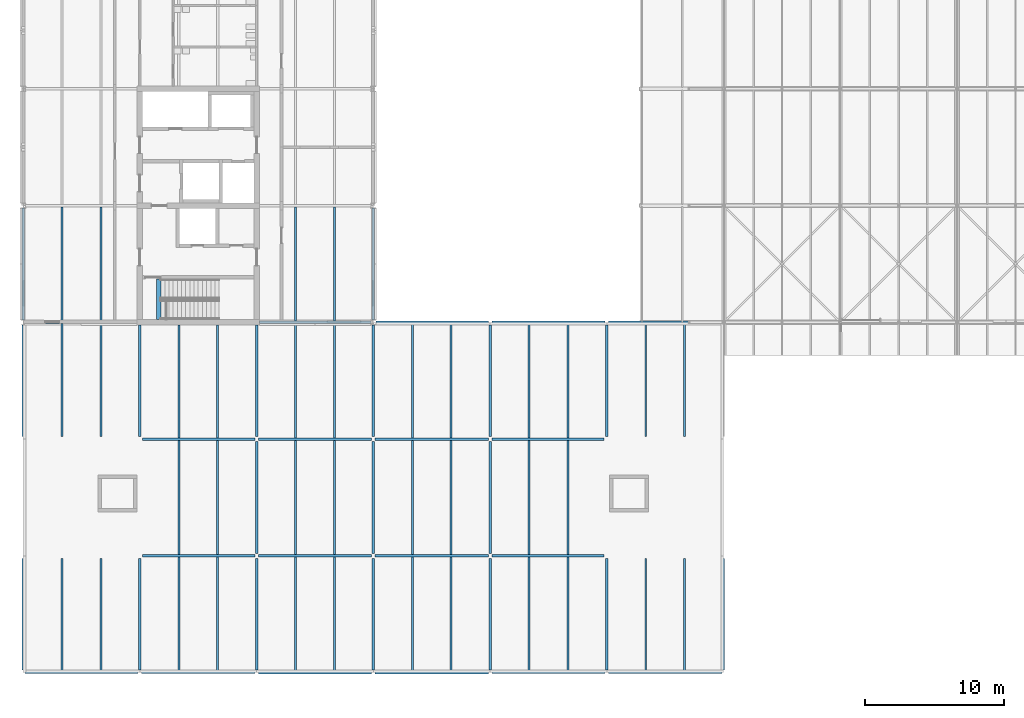
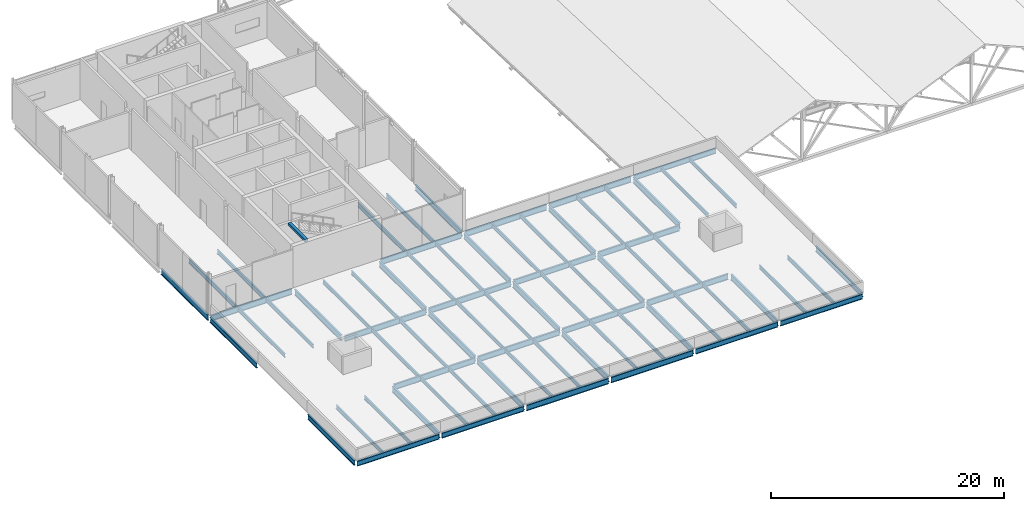
# One storey, part 8 of 76: 74 beams.
"""IFC4 building model written with IfcOpenShell, lengths in metres."""

import ifcopenshell
import ifcopenshell.guid

model = None  # the IFC model being written
_history = None  # IfcOwnerHistory: only IFC2X3 demands one
_inside = {}  # id of a spatial element -> (the spatial element, [elements in it])
_under = {}  # id of a project, library or spatial element -> (it, [spatial elements below it])
_declared = {}  # id of a project -> (the project, [libraries it declares])
_typed = {}  # id of a type object -> (the type object, [elements of that type])
_made_of = {}  # id of a material, layer set ... -> (it, [elements and type objects made of it])


def new_model(schema):
    """Start an empty IFC model of exactly this schema.

    Asked for "IFC4X3", IfcOpenShell would pick the latest addendum, in which some entities
    have other attributes; the version numbers below select the first issue.
    IFC2X3 requires an IfcOwnerHistory on every rooted entity: one is made here for all.
    """
    global model, _history
    if schema == "IFC4X3":
        model = ifcopenshell.file(schema_version=(4, 3, 0, 0))
    else:
        model = ifcopenshell.file(schema=schema)
    _inside.clear()
    _under.clear()
    _declared.clear()
    _typed.clear()
    _made_of.clear()
    _history = None
    if model.schema == "IFC2X3":
        org = make("IfcOrganization", Name="unknown")
        user = make(
            "IfcPersonAndOrganization",
            ThePerson=make("IfcPerson", FamilyName="unknown"),
            TheOrganization=org,
        )
        app = make(
            "IfcApplication",
            ApplicationDeveloper=org,
            Version="unknown",
            ApplicationFullName="unknown",
            ApplicationIdentifier="unknown",
        )
        _history = make(
            "IfcOwnerHistory",
            OwningUser=user,
            OwningApplication=app,
            ChangeAction="ADDED",
            CreationDate=0,
        )
    return model


def make(cls, **values):
    """One entity of the class cls with the attributes given. An attribute that is None is left unset."""
    return model.create_entity(
        cls, **{name: value for name, value in values.items() if value is not None}
    )


def rooted(cls, **values):
    """An entity with a GlobalId (a new one), such as an element, a storey or a relation."""
    return make(cls, GlobalId=ifcopenshell.guid.new(), OwnerHistory=_history, **values)


def si_unit(unit_type, name, prefix=None):
    """IfcSIUnit, for example si_unit("LENGTHUNIT", "METRE", prefix="MILLI")."""
    return make("IfcSIUnit", UnitType=unit_type, Prefix=prefix, Name=name)


def assignment(units):
    """IfcUnitAssignment: the units of a project."""
    return None if units is None else make("IfcUnitAssignment", Units=units)


def point(xyz):
    """IfcCartesianPoint."""
    return None if xyz is None else make("IfcCartesianPoint", Coordinates=xyz)


def direction(xyz):
    """IfcDirection."""
    return None if xyz is None else make("IfcDirection", DirectionRatios=xyz)


def frame(location, z_axis=None, x_axis=None):
    """IfcAxis2Placement3D, a coordinate frame: its origin and axes. An axis left out is left unset."""
    return make(
        "IfcAxis2Placement3D",
        Location=point(location),
        Axis=direction(z_axis),
        RefDirection=direction(x_axis),
    )


def frame_2d(location, x_axis=None):
    """IfcAxis2Placement2D, a coordinate frame in the plane: its origin and x axis."""
    return make(
        "IfcAxis2Placement2D", Location=point(location), RefDirection=direction(x_axis)
    )


def origin():
    """The frame at (0, 0, 0) with its axes left unset."""
    return frame((0.0, 0.0, 0.0))


def origin_2d():
    """The frame at (0, 0) in the plane with its x axis left unset."""
    return frame_2d((0.0, 0.0))


def place(relative_to, where):
    """IfcLocalPlacement: puts the frame where relative to a parent placement (None: the world)."""
    return make(
        "IfcLocalPlacement", PlacementRelTo=relative_to, RelativePlacement=where
    )


def context(
    kind, dimensions, precision=None, world=None, true_north=None, identifier=None
):
    """IfcGeometricRepresentationContext, for example the 3D "Model" context."""
    return make(
        "IfcGeometricRepresentationContext",
        ContextIdentifier=identifier,
        ContextType=kind,
        CoordinateSpaceDimension=dimensions,
        Precision=precision,
        WorldCoordinateSystem=world,
        TrueNorth=true_north,
    )


def subcontext(parent, identifier, kind, view, scale=None):
    """IfcGeometricRepresentationSubContext, for example "Body" below "Model"."""
    return make(
        "IfcGeometricRepresentationSubContext",
        ContextIdentifier=identifier,
        ContextType=kind,
        ParentContext=parent,
        TargetScale=scale,
        TargetView=view,
    )


def project(units=None, contexts=None):
    """IfcProject with its units and contexts."""
    return rooted(
        "IfcProject",
        Name="project",
        RepresentationContexts=contexts,
        UnitsInContext=assignment(units),
    )


def spatial(cls, under=None, at=None, **own):
    """A site, building, storey or space (cls), placed at a placement, below another one or the project."""
    s = rooted(cls, ObjectPlacement=at, **own)
    if under is not None:
        _under.setdefault(under.id(), (under, []))[1].append(s)
    return s


def profile(cls, at=None, kind="AREA", **sizes):
    """A parametric profile (cls). Its sizes go by their IFC names, for example OverallWidth=200.0."""
    return make(cls, ProfileType=kind, Position=at, **sizes)


def rectangle(**sizes):
    """IfcRectangleProfileDef."""
    return profile("IfcRectangleProfileDef", **sizes)


def i_section(**sizes):
    """IfcIShapeProfileDef."""
    return profile("IfcIShapeProfileDef", **sizes)


def extrude(swept, where, along, depth):
    """IfcExtrudedAreaSolid: the profile swept, set in the frame where, extruded along a direction by depth."""
    return make(
        "IfcExtrudedAreaSolid",
        SweptArea=swept,
        Position=where,
        ExtrudedDirection=direction(along),
        Depth=depth,
    )


def shape(context_of_items, identifier, shape_type, items):
    """IfcShapeRepresentation: the items that make up one representation, for example the "Body"."""
    return make(
        "IfcShapeRepresentation",
        ContextOfItems=context_of_items,
        RepresentationIdentifier=identifier,
        RepresentationType=shape_type,
        Items=items,
    )


def material(Name=None, Category=None):
    """IfcMaterial."""
    return make("IfcMaterial", Name=Name, Category=Category)


def material_profile(
    of_material, cross_section, Name=None, Category=None, Priority=None
):
    """IfcMaterialProfile: a cross section and its material."""
    return make(
        "IfcMaterialProfile",
        Name=Name,
        Material=of_material,
        Profile=cross_section,
        Priority=Priority,
        Category=Category,
    )


def profile_set(profiles, Name=None, composite=None):
    """IfcMaterialProfileSet."""
    return make(
        "IfcMaterialProfileSet",
        Name=Name,
        MaterialProfiles=profiles,
        CompositeProfile=composite,
    )


def made_of(thing, what):
    """Note that an element or type object is made of a material, layer set ...; save() writes the relation."""
    if what is not None:
        _made_of.setdefault(what.id(), (what, []))[1].append(thing)
    return thing


def type_object(cls, material=None, **own):
    """A type object (cls), such as IfcWallType, which elements share."""
    return made_of(rooted(cls, **own), material)


def element(
    cls,
    number,
    at=None,
    inside=None,
    cuts=None,
    type_object=None,
    material=None,
    context=None,
    identifier="Body",
    shape_type=None,
    held_by="IfcProductDefinitionShape",
    body=None,
    shapes=None,
    **own,
):
    """One element of the class cls, such as IfcWall. Its Tag is "e" and its number.

    at: its placement. inside: the storey or other place that contains it. cuts: it is an
    opening in that element (IfcRelVoidsElement). A single representation is given by context,
    identifier, shape_type and body (its items); several are given by shapes. held_by: the class
    of the entity that holds the representations. save() writes the other relations.
    """
    e = rooted(cls, Tag="e%d" % number, ObjectPlacement=at, **own)
    if body is not None:
        shapes = [shape(context, identifier, shape_type, body)]
    if shapes is not None:
        e.Representation = make(held_by, Representations=shapes)
    if inside is not None:
        _inside.setdefault(inside.id(), (inside, []))[1].append(e)
    if cuts is not None:
        rooted(
            "IfcRelVoidsElement", RelatingBuildingElement=cuts, RelatedOpeningElement=e
        )
    if type_object is not None:
        _typed.setdefault(type_object.id(), (type_object, []))[1].append(e)
    return made_of(e, material)


def aggregate(whole, parts):
    """IfcRelAggregates: a whole, such as a stair, and the parts it consists of."""
    return rooted("IfcRelAggregates", RelatingObject=whole, RelatedObjects=parts)


def save(model, path):
    """Write the relations noted so far, then the file.

    IfcRelAggregates (storeys below a building ...), IfcRelContainedInSpatialStructure (elements
    in a storey), IfcRelDefinesByType, IfcRelAssociatesMaterial and IfcRelDeclares: one each for
    every whole, place, type object, material and project.
    """
    for whole, parts in _under.values():
        aggregate(whole, parts)
    for where, things in _inside.values():
        rooted(
            "IfcRelContainedInSpatialStructure",
            RelatedElements=things,
            RelatingStructure=where,
        )
    for kind, things in _typed.values():
        rooted("IfcRelDefinesByType", RelatedObjects=things, RelatingType=kind)
    for what, things in _made_of.values():
        rooted("IfcRelAssociatesMaterial", RelatedObjects=things, RelatingMaterial=what)
    for by, libraries in _declared.values():
        rooted("IfcRelDeclares", RelatingContext=by, RelatedDefinitions=libraries)
    model.write(path)


model = new_model("IFC4")

# Units and contexts
model_context = context("Model", 3, precision=1e-05, world=origin(), true_north=direction((0.0, 1.0)))
body_context = subcontext(model_context, "Body", "Model", "MODEL_VIEW")
ifc_project = project(units=[si_unit("LENGTHUNIT", "METRE"), si_unit("AREAUNIT", "SQUARE_METRE"), si_unit("VOLUMEUNIT", "CUBIC_METRE"), si_unit("PLANEANGLEUNIT", "RADIAN"), si_unit("MASSUNIT", "GRAM", prefix="KILO")], contexts=[model_context])

# Site, building, storey
site_placement = place(None, origin())
site = spatial("IfcSite", under=ifc_project, at=site_placement, CompositionType="ELEMENT")
building_placement = place(site_placement, origin())
building = spatial("IfcBuilding", under=site, at=building_placement, Name="Hlaing Beacon Police Headquarters", CompositionType="ELEMENT")
storey_placement = place(building_placement, frame((0.0, 0.0, 18.89990234375)))
storey = spatial("IfcBuildingStorey", under=building, at=storey_placement, Name="L04", CompositionType="ELEMENT", Elevation=18.89990234375)

# Beams
ifc_material_1 = material(Name="Steel ASTM A992 Grade 50", Category="steel")
ifc_material_profile_1 = material_profile(ifc_material_1, i_section(OverallWidth=0.1650390625, OverallDepth=0.52587890625, WebThickness=0.0087890625, FlangeThickness=0.011474609375, FilletRadius=0.0126953125, at=origin_2d()), Name="W21x44")
ifc_profile_set_1 = profile_set([ifc_material_profile_1], Name="Steel ASTM A992 Grade 50")
beam_type_1 = type_object("IfcBeamType", Name="Girder W21x44", PredefinedType="BEAM", material=ifc_profile_set_1)
beam_1_placement = place(storey_placement, frame((8.527099609375, 8.39990234375, -0.392822265625), z_axis=(1.0, 0.0, 0.0), x_axis=(0.0, 1.0, 0.0)))
element("IfcBeam", 1, at=beam_1_placement, inside=storey, type_object=beam_type_1, Name="STR-BM-L04-GX-B2-C2", PredefinedType="BEAM", context=body_context, shape_type="SweptSolid", body=[
    extrude(i_section(OverallWidth=0.1650390625, OverallDepth=0.52587890625, WebThickness=0.0087890625, FlangeThickness=0.011474609375, FilletRadius=0.0126953125, at=origin_2d()), origin(), (0.0, 0.0, 1.0), 8.14599609375),
])
for number, where, z_axis, x_axis, name in (
    (2, (16.927001953125, 8.39990234375, -0.392822265625), (1.0, 0.0, 0.0), (0.0, 1.0, 0.0), "STR-BM-L04-GX-C2-D2"),
    (3, (42.1279296875, 8.39990234375, -0.392822265625), (1.0, 0.0, 0.0), (0.0, 1.0, 0.0), "STR-BM-L04-GX-F2-G2"),
):
    element("IfcBeam", number, at=place(storey_placement, frame(where, z_axis=z_axis, x_axis=x_axis)), inside=storey, type_object=beam_type_1, Name=name, PredefinedType="BEAM", context=body_context, shape_type="SweptSolid", body=[
        extrude(i_section(OverallWidth=0.1650390625, OverallDepth=0.52587890625, WebThickness=0.0087890625, FlangeThickness=0.011474609375, FilletRadius=0.0126953125, at=origin_2d()), origin(), (0.0, 0.0, 1.0), 8.14501953125),
    ])
beam_2_placement = place(storey_placement, frame((50.527099609375, 8.39990234375, -0.392822265625), z_axis=(1.0, 0.0, 0.0), x_axis=(0.0, 1.0, 0.0)))
element("IfcBeam", 4, at=beam_2_placement, inside=storey, type_object=beam_type_1, Name="STR-BM-L04-GX-G2-H2", PredefinedType="BEAM", context=body_context, shape_type="SweptSolid", body=[
    extrude(i_section(OverallWidth=0.1650390625, OverallDepth=0.52587890625, WebThickness=0.0087890625, FlangeThickness=0.011474609375, FilletRadius=0.0126953125, at=origin_2d()), origin(), (0.0, 0.0, 1.0), 8.14599609375),
])
beam_3_placement = place(storey_placement, frame((50.528076171875, 33.60009765625, -0.392822265625), z_axis=(1.0, 0.0, 0.0), x_axis=(0.0, 1.0, 0.0)))
element("IfcBeam", 5, at=beam_3_placement, inside=storey, type_object=beam_type_1, Name="STR-BM-L04-GX-G5-H5", PredefinedType="BEAM", context=body_context, shape_type="SweptSolid", body=[
    extrude(i_section(OverallWidth=0.1650390625, OverallDepth=0.52587890625, WebThickness=0.0087890625, FlangeThickness=0.011474609375, FilletRadius=0.0126953125, at=origin_2d()), origin(), (0.0, 0.0, 1.0), 8.14501953125),
])
beam_4_placement = place(storey_placement, frame((8.39990234375, 8.576904296875, -0.392822265625), z_axis=(0.0, 1.0, 0.0), x_axis=(-1.0, 0.0, 0.0)))
element("IfcBeam", 6, at=beam_4_placement, inside=storey, type_object=beam_type_1, Name="STR-BM-L04-GY-B2-B3", PredefinedType="BEAM", context=body_context, shape_type="SweptSolid", body=[
    extrude(i_section(OverallWidth=0.1650390625, OverallDepth=0.52587890625, WebThickness=0.0087890625, FlangeThickness=0.011474609375, FilletRadius=0.0126953125, at=origin_2d()), origin(), (0.0, 0.0, 1.0), 8.023193359375),
])
beam_5_placement = place(storey_placement, frame((8.39990234375, 25.39990234375, -0.392822265625), z_axis=(0.0, 1.0, 0.0), x_axis=(-1.0, 0.0, 0.0)))
element("IfcBeam", 7, at=beam_5_placement, inside=storey, type_object=beam_type_1, Name="STR-BM-L04-GY-B4-B5", PredefinedType="BEAM", context=body_context, shape_type="SweptSolid", body=[
    extrude(i_section(OverallWidth=0.1650390625, OverallDepth=0.52587890625, WebThickness=0.0087890625, FlangeThickness=0.011474609375, FilletRadius=0.0126953125, at=origin_2d()), origin(), (0.0, 0.0, 1.0), 8.022216796875),
])
beam_6_placement = place(storey_placement, frame((58.800048828125, 8.576904296875, -0.392822265625), z_axis=(0.0, 1.0, 0.0), x_axis=(-1.0, 0.0, 0.0)))
element("IfcBeam", 8, at=beam_6_placement, inside=storey, type_object=beam_type_1, Name="STR-BM-L04-GY-H2-H3", PredefinedType="BEAM", context=body_context, shape_type="SweptSolid", body=[
    extrude(i_section(OverallWidth=0.1650390625, OverallDepth=0.52587890625, WebThickness=0.0087890625, FlangeThickness=0.011474609375, FilletRadius=0.0126953125, at=origin_2d()), origin(), (0.0, 0.0, 1.0), 8.023193359375),
])
ifc_material_2 = material(Name="Steel ASTM A992 Grade 50", Category="steel")
ifc_material_profile_2 = material_profile(ifc_material_2, i_section(OverallWidth=0.177978515625, OverallDepth=0.599365234375, WebThickness=0.010009765625, FlangeThickness=0.012939453125, FilletRadius=0.012939453125, at=origin_2d()), Name="W24x55")
ifc_profile_set_2 = profile_set([ifc_material_profile_2], Name="Steel ASTM A992 Grade 50")
beam_type_2 = type_object("IfcBeamType", Name="Girder W24x55", PredefinedType="BEAM", material=ifc_profile_set_2)
beam_7_placement = place(storey_placement, frame((8.527099609375, 33.60009765625, -0.4296875), z_axis=(1.0, 0.0, 0.0), x_axis=(0.0, 1.0, 0.0)))
element("IfcBeam", 9, at=beam_7_placement, inside=storey, type_object=beam_type_2, Name="STR-BM-L04-GX-B5-C5", PredefinedType="BEAM", context=body_context, shape_type="SweptSolid", body=[
    extrude(i_section(OverallWidth=0.177978515625, OverallDepth=0.599365234375, WebThickness=0.010009765625, FlangeThickness=0.012939453125, FilletRadius=0.012939453125, at=origin_2d()), origin(), (0.0, 0.0, 1.0), 8.072998046875),
])
beam_8_placement = place(storey_placement, frame((25.39990234375, 33.60009765625, -0.4296875), z_axis=(1.0, 0.0, 0.0), x_axis=(0.0, 1.0, 0.0)))
element("IfcBeam", 10, at=beam_8_placement, inside=storey, type_object=beam_type_2, Name="STR-BM-L04-GX-D5-E5", PredefinedType="BEAM", context=body_context, shape_type="SweptSolid", body=[
    extrude(i_section(OverallWidth=0.177978515625, OverallDepth=0.599365234375, WebThickness=0.010009765625, FlangeThickness=0.012939453125, FilletRadius=0.012939453125, at=origin_2d()), origin(), (0.0, 0.0, 1.0), 8.01513671875),
])
beam_9_placement = place(storey_placement, frame((8.39990234375, 33.778076171875, -0.4296875), z_axis=(0.0, 1.0, 0.0), x_axis=(-1.0, 0.0, 0.0)))
element("IfcBeam", 11, at=beam_9_placement, inside=storey, type_object=beam_type_2, Name="STR-BM-L04-GY-B5-B6", PredefinedType="BEAM", context=body_context, shape_type="SweptSolid", body=[
    extrude(i_section(OverallWidth=0.177978515625, OverallDepth=0.599365234375, WebThickness=0.010009765625, FlangeThickness=0.012939453125, FilletRadius=0.012939453125, at=origin_2d()), origin(), (0.0, 0.0, 1.0), 8.0400390625),
])
beam_10_placement = place(storey_placement, frame((33.60009765625, 33.781982421875, -0.4296875), z_axis=(0.0, 1.0, 0.0), x_axis=(-1.0, 0.0, 0.0)))
element("IfcBeam", 12, at=beam_10_placement, inside=storey, type_object=beam_type_2, Name="STR-BM-L04-GY-E5-E6", PredefinedType="BEAM", context=body_context, shape_type="SweptSolid", body=[
    extrude(i_section(OverallWidth=0.177978515625, OverallDepth=0.599365234375, WebThickness=0.010009765625, FlangeThickness=0.012939453125, FilletRadius=0.012939453125, at=origin_2d()), origin(), (0.0, 0.0, 1.0), 8.0361328125),
])
ifc_material_3 = material(Name="Steel ASTM A992 Grade 50", Category="steel")
ifc_material_profile_3 = material_profile(ifc_material_3, i_section(OverallWidth=0.1787109375, OverallDepth=0.60205078125, WebThickness=0.010986328125, FlangeThickness=0.014892578125, FilletRadius=0.0126953125, at=origin_2d()), Name="W24x62")
ifc_profile_set_3 = profile_set([ifc_material_profile_3], Name="Steel ASTM A992 Grade 50")
beam_type_3 = type_object("IfcBeamType", Name="Girder W24x62", PredefinedType="BEAM", material=ifc_profile_set_3)
for number, where, z_axis, x_axis, name in (
    (13, (25.327880859375, 8.39990234375, -0.430908203125), (1.0, 0.0, 0.0), (0.0, 1.0, 0.0), "STR-BM-L04-GX-D2-E2"),
    (14, (33.72802734375, 8.39990234375, -0.430908203125), (1.0, 0.0, 0.0), (0.0, 1.0, 0.0), "STR-BM-L04-GX-E2-F2"),
):
    element("IfcBeam", number, at=place(storey_placement, frame(where, z_axis=z_axis, x_axis=x_axis)), inside=storey, type_object=beam_type_3, Name=name, PredefinedType="BEAM", context=body_context, shape_type="SweptSolid", body=[
        extrude(i_section(OverallWidth=0.1787109375, OverallDepth=0.60205078125, WebThickness=0.010986328125, FlangeThickness=0.014892578125, FilletRadius=0.0126953125, at=origin_2d()), origin(), (0.0, 0.0, 1.0), 8.14404296875),
    ])
beam_11_placement = place(storey_placement, frame((17.0, 16.800048828125, -0.430908203125), z_axis=(1.0, 0.0, 0.0), x_axis=(0.0, 1.0, 0.0)))
element("IfcBeam", 15, at=beam_11_placement, inside=storey, type_object=beam_type_3, Name="STR-BM-L04-GX-C3-D3", PredefinedType="BEAM", context=body_context, shape_type="SweptSolid", body=[
    extrude(i_section(OverallWidth=0.1787109375, OverallDepth=0.60205078125, WebThickness=0.010986328125, FlangeThickness=0.014892578125, FilletRadius=0.0126953125, at=origin_2d()), origin(), (0.0, 0.0, 1.0), 8.072021484375),
])
for number, where, z_axis, x_axis, name in (
    (16, (25.327880859375, 16.800048828125, -0.430908203125), (1.0, 0.0, 0.0), (0.0, 1.0, 0.0), "STR-BM-L04-GX-D3-E3"),
    (17, (33.72802734375, 16.800048828125, -0.430908203125), (1.0, 0.0, 0.0), (0.0, 1.0, 0.0), "STR-BM-L04-GX-E3-F3"),
):
    element("IfcBeam", number, at=place(storey_placement, frame(where, z_axis=z_axis, x_axis=x_axis)), inside=storey, type_object=beam_type_3, Name=name, PredefinedType="BEAM", context=body_context, shape_type="SweptSolid", body=[
        extrude(i_section(OverallWidth=0.1787109375, OverallDepth=0.60205078125, WebThickness=0.010986328125, FlangeThickness=0.014892578125, FilletRadius=0.0126953125, at=origin_2d()), origin(), (0.0, 0.0, 1.0), 8.14404296875),
    ])
for number, where, z_axis, x_axis, name in (
    (18, (42.1279296875, 16.800048828125, -0.430908203125), (1.0, 0.0, 0.0), (0.0, 1.0, 0.0), "STR-BM-L04-GX-F3-G3"),
    (19, (17.0, 25.199951171875, -0.430908203125), (1.0, 0.0, 0.0), (0.0, 1.0, 0.0), "STR-BM-L04-GX-C4-D4"),
):
    element("IfcBeam", number, at=place(storey_placement, frame(where, z_axis=z_axis, x_axis=x_axis)), inside=storey, type_object=beam_type_3, Name=name, PredefinedType="BEAM", context=body_context, shape_type="SweptSolid", body=[
        extrude(i_section(OverallWidth=0.1787109375, OverallDepth=0.60205078125, WebThickness=0.010986328125, FlangeThickness=0.014892578125, FilletRadius=0.0126953125, at=origin_2d()), origin(), (0.0, 0.0, 1.0), 8.072021484375),
    ])
for number, where, z_axis, x_axis, name in (
    (20, (25.327880859375, 25.199951171875, -0.430908203125), (1.0, 0.0, 0.0), (0.0, 1.0, 0.0), "STR-BM-L04-GX-D4-E4"),
    (21, (33.72802734375, 25.199951171875, -0.430908203125), (1.0, 0.0, 0.0), (0.0, 1.0, 0.0), "STR-BM-L04-GX-E4-F4"),
):
    element("IfcBeam", number, at=place(storey_placement, frame(where, z_axis=z_axis, x_axis=x_axis)), inside=storey, type_object=beam_type_3, Name=name, PredefinedType="BEAM", context=body_context, shape_type="SweptSolid", body=[
        extrude(i_section(OverallWidth=0.1787109375, OverallDepth=0.60205078125, WebThickness=0.010986328125, FlangeThickness=0.014892578125, FilletRadius=0.0126953125, at=origin_2d()), origin(), (0.0, 0.0, 1.0), 8.14404296875),
    ])
beam_12_placement = place(storey_placement, frame((42.1279296875, 25.199951171875, -0.430908203125), z_axis=(1.0, 0.0, 0.0), x_axis=(0.0, 1.0, 0.0)))
element("IfcBeam", 22, at=beam_12_placement, inside=storey, type_object=beam_type_3, Name="STR-BM-L04-GX-F4-G4", PredefinedType="BEAM", context=body_context, shape_type="SweptSolid", body=[
    extrude(i_section(OverallWidth=0.1787109375, OverallDepth=0.60205078125, WebThickness=0.010986328125, FlangeThickness=0.014892578125, FilletRadius=0.0126953125, at=origin_2d()), origin(), (0.0, 0.0, 1.0), 8.072021484375),
])
beam_13_placement = place(storey_placement, frame((33.784912109375, 33.60009765625, -0.430908203125), z_axis=(1.0, 0.0, 0.0), x_axis=(0.0, 1.0, 0.0)))
element("IfcBeam", 23, at=beam_13_placement, inside=storey, type_object=beam_type_3, Name="STR-BM-L04-GX-E5-F5", PredefinedType="BEAM", context=body_context, shape_type="SweptSolid", body=[
    extrude(i_section(OverallWidth=0.1787109375, OverallDepth=0.60205078125, WebThickness=0.010986328125, FlangeThickness=0.014892578125, FilletRadius=0.0126953125, at=origin_2d()), origin(), (0.0, 0.0, 1.0), 8.087158203125),
])
beam_14_placement = place(storey_placement, frame((42.1279296875, 33.60009765625, -0.430908203125), z_axis=(1.0, 0.0, 0.0), x_axis=(0.0, 1.0, 0.0)))
element("IfcBeam", 24, at=beam_14_placement, inside=storey, type_object=beam_type_3, Name="STR-BM-L04-GX-F5-G5", PredefinedType="BEAM", context=body_context, shape_type="SweptSolid", body=[
    extrude(i_section(OverallWidth=0.1787109375, OverallDepth=0.60205078125, WebThickness=0.010986328125, FlangeThickness=0.014892578125, FilletRadius=0.0126953125, at=origin_2d()), origin(), (0.0, 0.0, 1.0), 8.14404296875),
])
beam_15_placement = place(storey_placement, frame((16.800048828125, 8.576904296875, -0.430908203125), z_axis=(0.0, 1.0, 0.0), x_axis=(-1.0, 0.0, 0.0)))
element("IfcBeam", 25, at=beam_15_placement, inside=storey, type_object=beam_type_3, Name="STR-BM-L04-GY-C2-C3", PredefinedType="BEAM", context=body_context, shape_type="SweptSolid", body=[
    extrude(i_section(OverallWidth=0.1787109375, OverallDepth=0.60205078125, WebThickness=0.010986328125, FlangeThickness=0.014892578125, FilletRadius=0.0126953125, at=origin_2d()), origin(), (0.0, 0.0, 1.0), 8.023193359375),
])
beam_16_placement = place(storey_placement, frame((16.800048828125, 25.39990234375, -0.430908203125), z_axis=(0.0, 1.0, 0.0), x_axis=(-1.0, 0.0, 0.0)))
element("IfcBeam", 26, at=beam_16_placement, inside=storey, type_object=beam_type_3, Name="STR-BM-L04-GY-C4-C5", PredefinedType="BEAM", context=body_context, shape_type="SweptSolid", body=[
    extrude(i_section(OverallWidth=0.1787109375, OverallDepth=0.60205078125, WebThickness=0.010986328125, FlangeThickness=0.014892578125, FilletRadius=0.0126953125, at=origin_2d()), origin(), (0.0, 0.0, 1.0), 8.0),
])
beam_17_placement = place(storey_placement, frame((25.199951171875, 8.58203125, -0.430908203125), z_axis=(0.0, 1.0, 0.0), x_axis=(-1.0, 0.0, 0.0)))
element("IfcBeam", 27, at=beam_17_placement, inside=storey, type_object=beam_type_3, Name="STR-BM-L04-GY-D2-D3", PredefinedType="BEAM", context=body_context, shape_type="SweptSolid", body=[
    extrude(i_section(OverallWidth=0.1787109375, OverallDepth=0.60205078125, WebThickness=0.010986328125, FlangeThickness=0.014892578125, FilletRadius=0.0126953125, at=origin_2d()), origin(), (0.0, 0.0, 1.0), 8.0380859375),
])
beam_18_placement = place(storey_placement, frame((25.199951171875, 16.97998046875, -0.430908203125), z_axis=(0.0, 1.0, 0.0), x_axis=(-1.0, 0.0, 0.0)))
element("IfcBeam", 28, at=beam_18_placement, inside=storey, type_object=beam_type_3, Name="STR-BM-L04-GY-D3-D4", PredefinedType="BEAM", context=body_context, shape_type="SweptSolid", body=[
    extrude(i_section(OverallWidth=0.1787109375, OverallDepth=0.60205078125, WebThickness=0.010986328125, FlangeThickness=0.014892578125, FilletRadius=0.0126953125, at=origin_2d()), origin(), (0.0, 0.0, 1.0), 8.0400390625),
])
beam_19_placement = place(storey_placement, frame((25.199951171875, 25.3798828125, -0.430908203125), z_axis=(0.0, 1.0, 0.0), x_axis=(-1.0, 0.0, 0.0)))
element("IfcBeam", 29, at=beam_19_placement, inside=storey, type_object=beam_type_3, Name="STR-BM-L04-GY-D4-D5", PredefinedType="BEAM", context=body_context, shape_type="SweptSolid", body=[
    extrude(i_section(OverallWidth=0.1787109375, OverallDepth=0.60205078125, WebThickness=0.010986328125, FlangeThickness=0.014892578125, FilletRadius=0.0126953125, at=origin_2d()), origin(), (0.0, 0.0, 1.0), 8.02001953125),
])
beam_20_placement = place(storey_placement, frame((33.60009765625, 8.58203125, -0.430908203125), z_axis=(0.0, 1.0, 0.0), x_axis=(-1.0, 0.0, 0.0)))
element("IfcBeam", 30, at=beam_20_placement, inside=storey, type_object=beam_type_3, Name="STR-BM-L04-GY-E2-E3", PredefinedType="BEAM", context=body_context, shape_type="SweptSolid", body=[
    extrude(i_section(OverallWidth=0.1787109375, OverallDepth=0.60205078125, WebThickness=0.010986328125, FlangeThickness=0.014892578125, FilletRadius=0.0126953125, at=origin_2d()), origin(), (0.0, 0.0, 1.0), 8.0380859375),
])
beam_21_placement = place(storey_placement, frame((33.60009765625, 16.97998046875, -0.430908203125), z_axis=(0.0, 1.0, 0.0), x_axis=(-1.0, 0.0, 0.0)))
element("IfcBeam", 31, at=beam_21_placement, inside=storey, type_object=beam_type_3, Name="STR-BM-L04-GY-E3-E4", PredefinedType="BEAM", context=body_context, shape_type="SweptSolid", body=[
    extrude(i_section(OverallWidth=0.1787109375, OverallDepth=0.60205078125, WebThickness=0.010986328125, FlangeThickness=0.014892578125, FilletRadius=0.0126953125, at=origin_2d()), origin(), (0.0, 0.0, 1.0), 8.0400390625),
])
for number, where, z_axis, x_axis, name in (
    (32, (33.60009765625, 25.3798828125, -0.430908203125), (0.0, 1.0, 0.0), (-1.0, 0.0, 0.0), "STR-BM-L04-GY-E4-E5"),
    (33, (42.0, 8.58203125, -0.430908203125), (0.0, 1.0, 0.0), (-1.0, 0.0, 0.0), "STR-BM-L04-GY-F2-F3"),
):
    element("IfcBeam", number, at=place(storey_placement, frame(where, z_axis=z_axis, x_axis=x_axis)), inside=storey, type_object=beam_type_3, Name=name, PredefinedType="BEAM", context=body_context, shape_type="SweptSolid", body=[
        extrude(i_section(OverallWidth=0.1787109375, OverallDepth=0.60205078125, WebThickness=0.010986328125, FlangeThickness=0.014892578125, FilletRadius=0.0126953125, at=origin_2d()), origin(), (0.0, 0.0, 1.0), 8.0380859375),
    ])
beam_22_placement = place(storey_placement, frame((42.0, 16.97998046875, -0.430908203125), z_axis=(0.0, 1.0, 0.0), x_axis=(-1.0, 0.0, 0.0)))
element("IfcBeam", 34, at=beam_22_placement, inside=storey, type_object=beam_type_3, Name="STR-BM-L04-GY-F3-F4", PredefinedType="BEAM", context=body_context, shape_type="SweptSolid", body=[
    extrude(i_section(OverallWidth=0.1787109375, OverallDepth=0.60205078125, WebThickness=0.010986328125, FlangeThickness=0.014892578125, FilletRadius=0.0126953125, at=origin_2d()), origin(), (0.0, 0.0, 1.0), 8.0400390625),
])
beam_23_placement = place(storey_placement, frame((42.0, 25.3798828125, -0.430908203125), z_axis=(0.0, 1.0, 0.0), x_axis=(-1.0, 0.0, 0.0)))
element("IfcBeam", 35, at=beam_23_placement, inside=storey, type_object=beam_type_3, Name="STR-BM-L04-GY-F4-F5", PredefinedType="BEAM", context=body_context, shape_type="SweptSolid", body=[
    extrude(i_section(OverallWidth=0.1787109375, OverallDepth=0.60205078125, WebThickness=0.010986328125, FlangeThickness=0.014892578125, FilletRadius=0.0126953125, at=origin_2d()), origin(), (0.0, 0.0, 1.0), 8.0380859375),
])
beam_24_placement = place(storey_placement, frame((50.39990234375, 8.576904296875, -0.430908203125), z_axis=(0.0, 1.0, 0.0), x_axis=(-1.0, 0.0, 0.0)))
element("IfcBeam", 36, at=beam_24_placement, inside=storey, type_object=beam_type_3, Name="STR-BM-L04-GY-G2-G3", PredefinedType="BEAM", context=body_context, shape_type="SweptSolid", body=[
    extrude(i_section(OverallWidth=0.1787109375, OverallDepth=0.60205078125, WebThickness=0.010986328125, FlangeThickness=0.014892578125, FilletRadius=0.0126953125, at=origin_2d()), origin(), (0.0, 0.0, 1.0), 8.023193359375),
])
beam_25_placement = place(storey_placement, frame((50.39990234375, 25.39990234375, -0.430908203125), z_axis=(0.0, 1.0, 0.0), x_axis=(-1.0, 0.0, 0.0)))
element("IfcBeam", 37, at=beam_25_placement, inside=storey, type_object=beam_type_3, Name="STR-BM-L04-GY-G4-G5", PredefinedType="BEAM", context=body_context, shape_type="SweptSolid", body=[
    extrude(i_section(OverallWidth=0.1787109375, OverallDepth=0.60205078125, WebThickness=0.010986328125, FlangeThickness=0.014892578125, FilletRadius=0.0126953125, at=origin_2d()), origin(), (0.0, 0.0, 1.0), 8.01806640625),
])
ifc_material_4 = material(Name="Steel ASTM A992 Grade 50", Category="steel")
ifc_material_profile_4 = material_profile(ifc_material_4, i_section(OverallWidth=0.140380859375, OverallDepth=0.40380859375, WebThickness=0.007080078125, FlangeThickness=0.01123046875, FilletRadius=0.01025390625, at=origin_2d()), Name="W16x31")
ifc_profile_set_4 = profile_set([ifc_material_profile_4], Name="Steel ASTM A992 Grade 50")
beam_type_4 = type_object("IfcBeamType", Name="Secondary beam W16x31", PredefinedType="BEAM", material=ifc_profile_set_4)
for number, where, z_axis, x_axis, name in (
    (38, (11.199951171875, 8.48291015625, -0.331787109375), (0.0, 1.0, 0.0), (-1.0, 0.0, 0.0), "STR-BM-L04-SB-B2-y1"),
    (39, (14.0, 8.48291015625, -0.331787109375), (0.0, 1.0, 0.0), (-1.0, 0.0, 0.0), "STR-BM-L04-SB-B2-y2"),
):
    element("IfcBeam", number, at=place(storey_placement, frame(where, z_axis=z_axis, x_axis=x_axis)), inside=storey, type_object=beam_type_4, Name=name, PredefinedType="BEAM", context=body_context, shape_type="SweptSolid", body=[
        extrude(i_section(OverallWidth=0.140380859375, OverallDepth=0.40380859375, WebThickness=0.007080078125, FlangeThickness=0.01123046875, FilletRadius=0.01025390625, at=origin_2d()), origin(), (0.0, 0.0, 1.0), 8.1171875),
    ])
for number, where, z_axis, x_axis, name in (
    (40, (11.199951171875, 25.39990234375, -0.331787109375), (0.0, 1.0, 0.0), (-1.0, 0.0, 0.0), "STR-BM-L04-SB-B4-y1"),
    (41, (14.0, 25.39990234375, -0.331787109375), (0.0, 1.0, 0.0), (-1.0, 0.0, 0.0), "STR-BM-L04-SB-B4-y2"),
):
    element("IfcBeam", number, at=place(storey_placement, frame(where, z_axis=z_axis, x_axis=x_axis)), inside=storey, type_object=beam_type_4, Name=name, PredefinedType="BEAM", context=body_context, shape_type="SweptSolid", body=[
        extrude(i_section(OverallWidth=0.140380859375, OverallDepth=0.40380859375, WebThickness=0.007080078125, FlangeThickness=0.01123046875, FilletRadius=0.01025390625, at=origin_2d()), origin(), (0.0, 0.0, 1.0), 8.111083984375),
    ])
for number, where, z_axis, x_axis, name in (
    (42, (19.60009765625, 8.48291015625, -0.331787109375), (0.0, 1.0, 0.0), (-1.0, 0.0, 0.0), "STR-BM-L04-SB-C2-y1"),
    (43, (22.39990234375, 8.48291015625, -0.331787109375), (0.0, 1.0, 0.0), (-1.0, 0.0, 0.0), "STR-BM-L04-SB-C2-y2"),
):
    element("IfcBeam", number, at=place(storey_placement, frame(where, z_axis=z_axis, x_axis=x_axis)), inside=storey, type_object=beam_type_4, Name=name, PredefinedType="BEAM", context=body_context, shape_type="SweptSolid", body=[
        extrude(i_section(OverallWidth=0.140380859375, OverallDepth=0.40380859375, WebThickness=0.007080078125, FlangeThickness=0.01123046875, FilletRadius=0.01025390625, at=origin_2d()), origin(), (0.0, 0.0, 1.0), 8.22802734375),
    ])
for number, where, z_axis, x_axis, name in (
    (44, (19.60009765625, 16.888916015625, -0.331787109375), (0.0, 1.0, 0.0), (-1.0, 0.0, 0.0), "STR-BM-L04-SB-C3-y1"),
    (45, (22.39990234375, 16.888916015625, -0.331787109375), (0.0, 1.0, 0.0), (-1.0, 0.0, 0.0), "STR-BM-L04-SB-C3-y2"),
):
    element("IfcBeam", number, at=place(storey_placement, frame(where, z_axis=z_axis, x_axis=x_axis)), inside=storey, type_object=beam_type_4, Name=name, PredefinedType="BEAM", context=body_context, shape_type="SweptSolid", body=[
        extrude(i_section(OverallWidth=0.140380859375, OverallDepth=0.40380859375, WebThickness=0.007080078125, FlangeThickness=0.01123046875, FilletRadius=0.01025390625, at=origin_2d()), origin(), (0.0, 0.0, 1.0), 8.22216796875),
    ])
for number, where, z_axis, x_axis, name in (
    (46, (19.60009765625, 25.2890625, -0.331787109375), (0.0, 1.0, 0.0), (-1.0, 0.0, 0.0), "STR-BM-L04-SB-C4-y1"),
    (47, (22.39990234375, 25.2890625, -0.331787109375), (0.0, 1.0, 0.0), (-1.0, 0.0, 0.0), "STR-BM-L04-SB-C4-y2"),
):
    element("IfcBeam", number, at=place(storey_placement, frame(where, z_axis=z_axis, x_axis=x_axis)), inside=storey, type_object=beam_type_4, Name=name, PredefinedType="BEAM", context=body_context, shape_type="SweptSolid", body=[
        extrude(i_section(OverallWidth=0.140380859375, OverallDepth=0.40380859375, WebThickness=0.007080078125, FlangeThickness=0.01123046875, FilletRadius=0.01025390625, at=origin_2d()), origin(), (0.0, 0.0, 1.0), 8.11083984375),
    ])
for number, where, z_axis, x_axis, name in (
    (48, (28.0, 8.489013671875, -0.331787109375), (0.0, 1.0, 0.0), (-1.0, 0.0, 0.0), "STR-BM-L04-SB-D2-y1"),
    (49, (30.800048828125, 8.489013671875, -0.331787109375), (0.0, 1.0, 0.0), (-1.0, 0.0, 0.0), "STR-BM-L04-SB-D2-y2"),
):
    element("IfcBeam", number, at=place(storey_placement, frame(where, z_axis=z_axis, x_axis=x_axis)), inside=storey, type_object=beam_type_4, Name=name, PredefinedType="BEAM", context=body_context, shape_type="SweptSolid", body=[
        extrude(i_section(OverallWidth=0.140380859375, OverallDepth=0.40380859375, WebThickness=0.007080078125, FlangeThickness=0.01123046875, FilletRadius=0.01025390625, at=origin_2d()), origin(), (0.0, 0.0, 1.0), 8.221923828125),
    ])
for number, where, z_axis, x_axis, name in (
    (50, (28.0, 16.888916015625, -0.331787109375), (0.0, 1.0, 0.0), (-1.0, 0.0, 0.0), "STR-BM-L04-SB-D3-y1"),
    (51, (30.800048828125, 16.888916015625, -0.331787109375), (0.0, 1.0, 0.0), (-1.0, 0.0, 0.0), "STR-BM-L04-SB-D3-y2"),
):
    element("IfcBeam", number, at=place(storey_placement, frame(where, z_axis=z_axis, x_axis=x_axis)), inside=storey, type_object=beam_type_4, Name=name, PredefinedType="BEAM", context=body_context, shape_type="SweptSolid", body=[
        extrude(i_section(OverallWidth=0.140380859375, OverallDepth=0.40380859375, WebThickness=0.007080078125, FlangeThickness=0.01123046875, FilletRadius=0.01025390625, at=origin_2d()), origin(), (0.0, 0.0, 1.0), 8.22216796875),
    ])
for number, where, z_axis, x_axis, name in (
    (52, (28.0, 25.2890625, -0.331787109375), (0.0, 1.0, 0.0), (-1.0, 0.0, 0.0), "STR-BM-L04-SB-D4-y1"),
    (53, (30.800048828125, 25.2890625, -0.331787109375), (0.0, 1.0, 0.0), (-1.0, 0.0, 0.0), "STR-BM-L04-SB-D4-y2"),
    (54, (36.39990234375, 8.489013671875, -0.331787109375), (0.0, 1.0, 0.0), (-1.0, 0.0, 0.0), "STR-BM-L04-SB-E2-y1"),
    (55, (39.199951171875, 8.489013671875, -0.331787109375), (0.0, 1.0, 0.0), (-1.0, 0.0, 0.0), "STR-BM-L04-SB-E2-y2"),
):
    element("IfcBeam", number, at=place(storey_placement, frame(where, z_axis=z_axis, x_axis=x_axis)), inside=storey, type_object=beam_type_4, Name=name, PredefinedType="BEAM", context=body_context, shape_type="SweptSolid", body=[
        extrude(i_section(OverallWidth=0.140380859375, OverallDepth=0.40380859375, WebThickness=0.007080078125, FlangeThickness=0.01123046875, FilletRadius=0.01025390625, at=origin_2d()), origin(), (0.0, 0.0, 1.0), 8.221923828125),
    ])
for number, where, z_axis, x_axis, name in (
    (56, (36.39990234375, 16.888916015625, -0.331787109375), (0.0, 1.0, 0.0), (-1.0, 0.0, 0.0), "STR-BM-L04-SB-E3-y1"),
    (57, (39.199951171875, 16.888916015625, -0.331787109375), (0.0, 1.0, 0.0), (-1.0, 0.0, 0.0), "STR-BM-L04-SB-E3-y2"),
):
    element("IfcBeam", number, at=place(storey_placement, frame(where, z_axis=z_axis, x_axis=x_axis)), inside=storey, type_object=beam_type_4, Name=name, PredefinedType="BEAM", context=body_context, shape_type="SweptSolid", body=[
        extrude(i_section(OverallWidth=0.140380859375, OverallDepth=0.40380859375, WebThickness=0.007080078125, FlangeThickness=0.01123046875, FilletRadius=0.01025390625, at=origin_2d()), origin(), (0.0, 0.0, 1.0), 8.22216796875),
    ])
for number, where, z_axis, x_axis, name in (
    (58, (36.39990234375, 25.2890625, -0.331787109375), (0.0, 1.0, 0.0), (-1.0, 0.0, 0.0), "STR-BM-L04-SB-E4-y1"),
    (59, (39.199951171875, 25.2890625, -0.331787109375), (0.0, 1.0, 0.0), (-1.0, 0.0, 0.0), "STR-BM-L04-SB-E4-y2"),
):
    element("IfcBeam", number, at=place(storey_placement, frame(where, z_axis=z_axis, x_axis=x_axis)), inside=storey, type_object=beam_type_4, Name=name, PredefinedType="BEAM", context=body_context, shape_type="SweptSolid", body=[
        extrude(i_section(OverallWidth=0.140380859375, OverallDepth=0.40380859375, WebThickness=0.007080078125, FlangeThickness=0.01123046875, FilletRadius=0.01025390625, at=origin_2d()), origin(), (0.0, 0.0, 1.0), 8.221923828125),
    ])
for number, where, z_axis, x_axis, name in (
    (60, (44.800048828125, 8.48291015625, -0.331787109375), (0.0, 1.0, 0.0), (-1.0, 0.0, 0.0), "STR-BM-L04-SB-F2-y1"),
    (61, (47.60009765625, 8.48291015625, -0.331787109375), (0.0, 1.0, 0.0), (-1.0, 0.0, 0.0), "STR-BM-L04-SB-F2-y2"),
):
    element("IfcBeam", number, at=place(storey_placement, frame(where, z_axis=z_axis, x_axis=x_axis)), inside=storey, type_object=beam_type_4, Name=name, PredefinedType="BEAM", context=body_context, shape_type="SweptSolid", body=[
        extrude(i_section(OverallWidth=0.140380859375, OverallDepth=0.40380859375, WebThickness=0.007080078125, FlangeThickness=0.01123046875, FilletRadius=0.01025390625, at=origin_2d()), origin(), (0.0, 0.0, 1.0), 8.22802734375),
    ])
for number, where, z_axis, x_axis, name in (
    (62, (44.800048828125, 16.888916015625, -0.331787109375), (0.0, 1.0, 0.0), (-1.0, 0.0, 0.0), "STR-BM-L04-SB-F3-y1"),
    (63, (47.60009765625, 16.888916015625, -0.331787109375), (0.0, 1.0, 0.0), (-1.0, 0.0, 0.0), "STR-BM-L04-SB-F3-y2"),
):
    element("IfcBeam", number, at=place(storey_placement, frame(where, z_axis=z_axis, x_axis=x_axis)), inside=storey, type_object=beam_type_4, Name=name, PredefinedType="BEAM", context=body_context, shape_type="SweptSolid", body=[
        extrude(i_section(OverallWidth=0.140380859375, OverallDepth=0.40380859375, WebThickness=0.007080078125, FlangeThickness=0.01123046875, FilletRadius=0.01025390625, at=origin_2d()), origin(), (0.0, 0.0, 1.0), 8.22216796875),
    ])
for number, where, z_axis, x_axis, name in (
    (64, (44.800048828125, 25.2890625, -0.331787109375), (0.0, 1.0, 0.0), (-1.0, 0.0, 0.0), "STR-BM-L04-SB-F4-y1"),
    (65, (47.60009765625, 25.2890625, -0.331787109375), (0.0, 1.0, 0.0), (-1.0, 0.0, 0.0), "STR-BM-L04-SB-F4-y2"),
):
    element("IfcBeam", number, at=place(storey_placement, frame(where, z_axis=z_axis, x_axis=x_axis)), inside=storey, type_object=beam_type_4, Name=name, PredefinedType="BEAM", context=body_context, shape_type="SweptSolid", body=[
        extrude(i_section(OverallWidth=0.140380859375, OverallDepth=0.40380859375, WebThickness=0.007080078125, FlangeThickness=0.01123046875, FilletRadius=0.01025390625, at=origin_2d()), origin(), (0.0, 0.0, 1.0), 8.221923828125),
    ])
for number, where, z_axis, x_axis, name in (
    (66, (53.199951171875, 8.48291015625, -0.331787109375), (0.0, 1.0, 0.0), (-1.0, 0.0, 0.0), "STR-BM-L04-SB-G2-y1"),
    (67, (56.0, 8.48291015625, -0.331787109375), (0.0, 1.0, 0.0), (-1.0, 0.0, 0.0), "STR-BM-L04-SB-G2-y2"),
    (68, (53.199951171875, 25.39990234375, -0.331787109375), (0.0, 1.0, 0.0), (-1.0, 0.0, 0.0), "STR-BM-L04-SB-G4-y1"),
    (69, (56.0, 25.39990234375, -0.331787109375), (0.0, 1.0, 0.0), (-1.0, 0.0, 0.0), "STR-BM-L04-SB-G4-y2"),
):
    element("IfcBeam", number, at=place(storey_placement, frame(where, z_axis=z_axis, x_axis=x_axis)), inside=storey, type_object=beam_type_4, Name=name, PredefinedType="BEAM", context=body_context, shape_type="SweptSolid", body=[
        extrude(i_section(OverallWidth=0.140380859375, OverallDepth=0.40380859375, WebThickness=0.007080078125, FlangeThickness=0.01123046875, FilletRadius=0.01025390625, at=origin_2d()), origin(), (0.0, 0.0, 1.0), 8.1171875),
    ])
ifc_material_5 = material(Name="Steel ASTM A992 Grade 50", Category="steel")
ifc_material_profile_5 = material_profile(ifc_material_5, i_section(OverallWidth=0.15234375, OverallDepth=0.449462890625, WebThickness=0.007568359375, FlangeThickness=0.0107421875, FilletRadius=0.01025390625, at=origin_2d()), Name="W18x35")
ifc_profile_set_5 = profile_set([ifc_material_profile_5], Name="Steel ASTM A992 Grade 50")
beam_type_5 = type_object("IfcBeamType", Name="Secondary beam W18x35", PredefinedType="BEAM", material=ifc_profile_set_5)
for number, where, z_axis, x_axis, name in (
    (70, (11.199951171875, 33.68896484375, -0.354736328125), (0.0, 1.0, 0.0), (-1.0, 0.0, 0.0), "STR-BM-L04-SB-B5-y1"),
    (71, (14.0, 33.68896484375, -0.354736328125), (0.0, 1.0, 0.0), (-1.0, 0.0, 0.0), "STR-BM-L04-SB-B5-y2"),
    (72, (28.0, 33.68896484375, -0.354736328125), (0.0, 1.0, 0.0), (-1.0, 0.0, 0.0), "STR-BM-L04-SB-D5-y1"),
    (73, (30.800048828125, 33.68896484375, -0.354736328125), (0.0, 1.0, 0.0), (-1.0, 0.0, 0.0), "STR-BM-L04-SB-D5-y2"),
):
    element("IfcBeam", number, at=place(storey_placement, frame(where, z_axis=z_axis, x_axis=x_axis)), inside=storey, type_object=beam_type_5, Name=name, PredefinedType="BEAM", context=body_context, shape_type="SweptSolid", body=[
        extrude(i_section(OverallWidth=0.15234375, OverallDepth=0.449462890625, WebThickness=0.007568359375, FlangeThickness=0.0107421875, FilletRadius=0.01025390625, at=origin_2d()), origin(), (0.0, 0.0, 1.0), 8.221923828125),
    ])
ifc_material_6 = material(Name="Concrete C40/50", Category="concrete")
ifc_material_profile_6 = material_profile(ifc_material_6, rectangle(XDim=0.300048828125, YDim=0.25, at=origin_2d()), Name="Stair arrival beam 300x250")
ifc_profile_set_6 = profile_set([ifc_material_profile_6], Name="Concrete C40/50")
beam_type_6 = type_object("IfcBeamType", Name="Stair arrival beam 300x250", PredefinedType="BEAM", material=ifc_profile_set_6)
beam_26_placement = place(storey_placement, frame((18.159912109375, 33.800048828125, 4.2451171875), z_axis=(0.0, 1.0, 0.0), x_axis=(-1.0, 0.0, 0.0)))
element("IfcBeam", 74, at=beam_26_placement, inside=storey, type_object=beam_type_6, Name="Stair arrival beam ST-N", PredefinedType="BEAM", context=body_context, shape_type="SweptSolid", body=[
    extrude(rectangle(XDim=0.300048828125, YDim=0.25, at=origin_2d()), origin(), (0.0, 0.0, 1.0), 2.89990234375),
])

save(model, "model.ifc")
